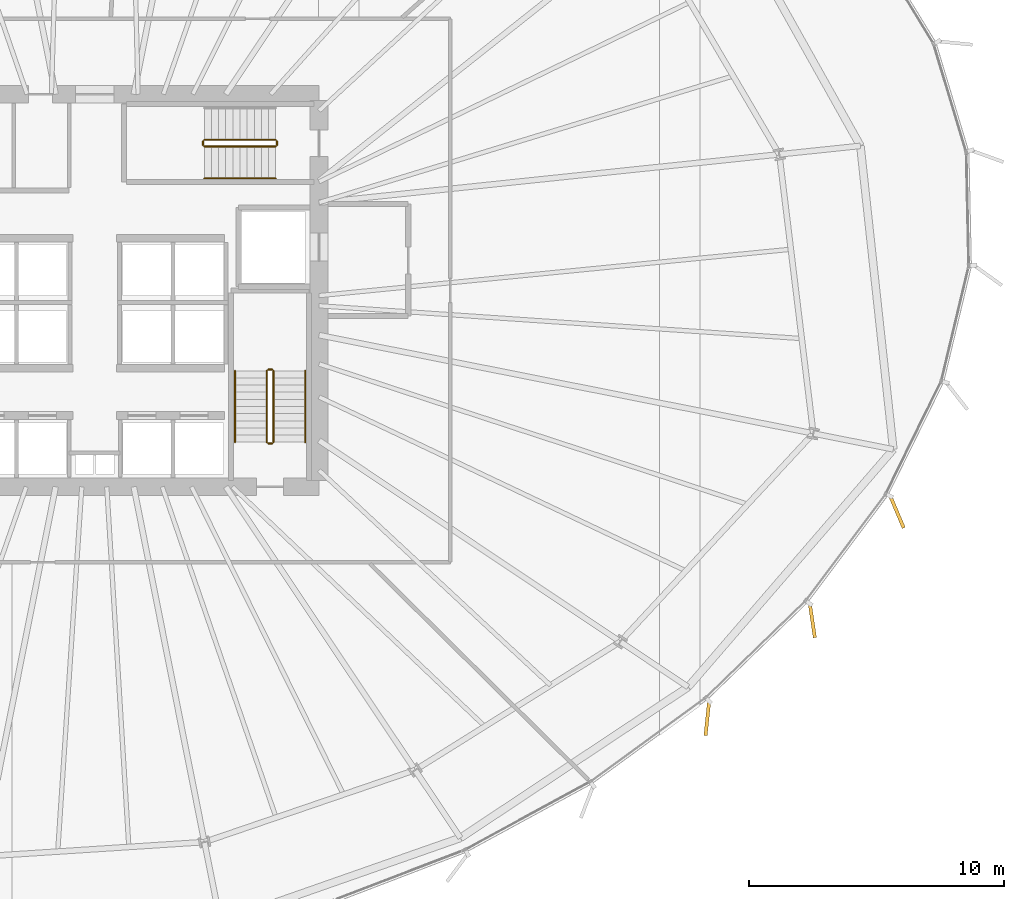
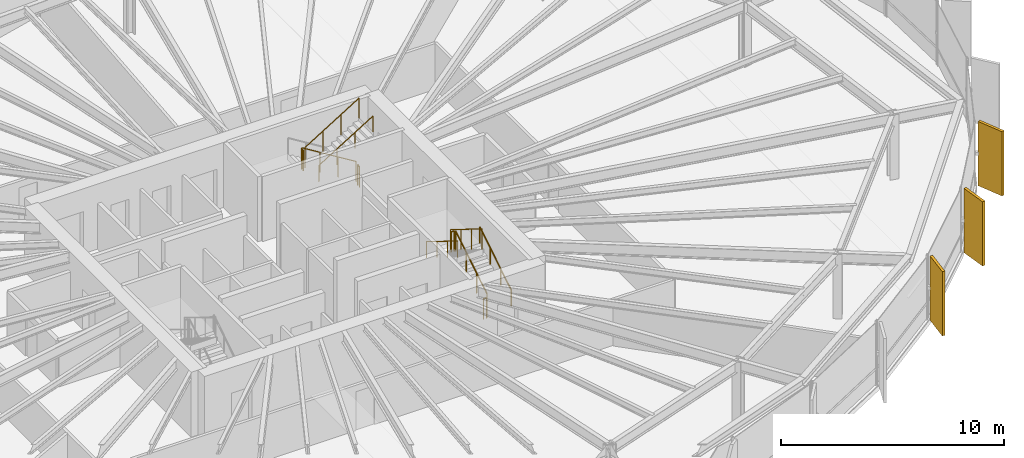
# One storey, part 37 of 38: 11 railings, 3 coverings.
"""IFC4 building model written with IfcOpenShell, lengths in metres."""

from ifc_helpers import new_model, si_unit, direction, frame, origin, origin_2d, place, context, subcontext, project, spatial, rectangle, circle, extrude, source, transform, mapped, material, layer, layer_set, type_object, element, save


model = new_model("IFC4")

# Units and contexts
model_context = context("Model", 3, precision=1e-05, world=origin(), true_north=direction((0.0, 1.0)))
body_context = subcontext(model_context, "Body", "Model", "MODEL_VIEW")
ifc_project = project(units=[si_unit("LENGTHUNIT", "METRE"), si_unit("AREAUNIT", "SQUARE_METRE"), si_unit("VOLUMEUNIT", "CUBIC_METRE"), si_unit("PLANEANGLEUNIT", "RADIAN"), si_unit("MASSUNIT", "GRAM", prefix="KILO"), si_unit("THERMODYNAMICTEMPERATUREUNIT", "KELVIN")], contexts=[model_context])

# Site, building, storey
site_placement = place(None, origin())
site = spatial("IfcSite", under=ifc_project, at=site_placement, CompositionType="ELEMENT")
building_placement = place(site_placement, origin())
building = spatial("IfcBuilding", under=site, at=building_placement, Name="Kethvar Cultural Tower", CompositionType="ELEMENT")
storey_placement = place(building_placement, frame((0.0, 0.0, 67.60009765625)))
storey = spatial("IfcBuildingStorey", under=building, at=storey_placement, Name="L16", CompositionType="ELEMENT", Elevation=67.60009765625)

# Railings
ifc_material_1 = material(Name="Steel S355J2", Category="steel")
railing_type_1 = type_object("IfcRailingType", Name="RL-STAIR-GUARD", PredefinedType="BALUSTRADE", material=ifc_material_1)
railing_1_placement = place(storey_placement, frame((53.81005859375, 21.85009765625, 0.172607421875)))
element("IfcRailing", 1, at=railing_1_placement, inside=storey, type_object=railing_type_1, Name="L16 ST-02 stair guard 1", PredefinedType="BALUSTRADE", context=body_context, shape_type="SweptSolid", body=[
    extrude(circle(Radius=0.02392578125, at=origin_2d()), frame((0.0, 0.0, 1.09619140625), z_axis=(0.0, 0.851069175582, 0.525053576669), x_axis=(-1.0, 0.0, 0.0)), (0.0, 0.0, 1.0), 3.289794921875),
    extrude(circle(Radius=0.02099609375, at=origin_2d()), origin(), (0.0, 0.0, 1.0), 1.072021484375),
    extrude(circle(Radius=0.02099609375, at=origin_2d()), frame((0.0, 0.933349609375, 0.57568359375)), (0.0, 0.0, 1.0), 1.072021484375),
    extrude(circle(Radius=0.02099609375, at=origin_2d()), frame((0.0, 1.866455078125, 1.151611328125)), (0.0, 0.0, 1.0), 1.072021484375),
    extrude(circle(Radius=0.02099609375, at=origin_2d()), frame((0.0, 2.7998046875, 1.727294921875)), (0.0, 0.0, 1.0), 1.072021484375),
])
railing_2_placement = place(storey_placement, frame((53.760009765625, 24.699951171875, 1.89990234375)))
element("IfcRailing", 2, at=railing_2_placement, inside=storey, type_object=railing_type_1, Name="L16 ST-02 stair guard 2", PredefinedType="BALUSTRADE", context=body_context, shape_type="SweptSolid", body=[
    extrude(circle(Radius=0.02392578125, at=origin_2d()), frame((0.0, 0.0, 1.09619140625), z_axis=(-1.0, 0.0, 0.0), x_axis=(0.0, -1.0, 0.0)), (0.0, 0.0, 1.0), 0.159912109375),
    extrude(circle(Radius=0.02099609375, at=origin_2d()), origin(), (0.0, 0.0, 1.0), 1.072021484375),
    extrude(circle(Radius=0.02099609375, at=origin_2d()), frame((-0.159912109375, 0.0, 0.0)), (0.0, 0.0, 1.0), 1.072021484375),
])
railing_3_placement = place(storey_placement, frame((53.550048828125, 24.64990234375, 2.072509765625)))
element("IfcRailing", 3, at=railing_3_placement, inside=storey, type_object=railing_type_1, Name="L16 ST-02 stair guard 3", PredefinedType="BALUSTRADE", context=body_context, shape_type="SweptSolid", body=[
    extrude(circle(Radius=0.02392578125, at=origin_2d()), frame((0.0, 0.0, 1.09619140625), z_axis=(0.0, -0.851069175582, 0.525053576669), x_axis=(1.0, 0.0, 0.0)), (0.0, 0.0, 1.0), 3.289794921875),
    extrude(circle(Radius=0.02099609375, at=origin_2d()), origin(), (0.0, 0.0, 1.0), 1.072021484375),
    extrude(circle(Radius=0.02099609375, at=origin_2d()), frame((0.0, -0.933349609375, 0.57568359375)), (0.0, 0.0, 1.0), 1.072021484375),
    extrude(circle(Radius=0.02099609375, at=origin_2d()), frame((0.0, -1.866455078125, 1.151611328125)), (0.0, 0.0, 1.0), 1.072021484375),
    extrude(circle(Radius=0.02099609375, at=origin_2d()), frame((0.0, -2.7998046875, 1.727294921875)), (0.0, 0.0, 1.0), 1.072021484375),
])
railing_4_placement = place(storey_placement, frame((53.760009765625, 21.800048828125, 0.0)))
element("IfcRailing", 4, at=railing_4_placement, inside=storey, type_object=railing_type_1, Name="L16 ST-02 stair guard 4", PredefinedType="BALUSTRADE", context=body_context, shape_type="SweptSolid", body=[
    extrude(circle(Radius=0.02392578125, at=origin_2d()), frame((0.0, 0.0, 1.09619140625), z_axis=(-1.0, 0.0, 0.0), x_axis=(0.0, -1.0, 0.0)), (0.0, 0.0, 1.0), 0.159912109375),
    extrude(circle(Radius=0.02099609375, at=origin_2d()), origin(), (0.0, 0.0, 1.0), 1.072021484375),
    extrude(circle(Radius=0.02099609375, at=origin_2d()), frame((-0.159912109375, 0.0, 0.0)), (0.0, 0.0, 1.0), 1.072021484375),
])
railing_5_placement = place(storey_placement, frame((53.89990234375, 33.7099609375, 0.172607421875)))
element("IfcRailing", 5, at=railing_5_placement, inside=storey, type_object=railing_type_1, Name="L16 ST-03 stair guard 1", PredefinedType="BALUSTRADE", context=body_context, shape_type="SweptSolid", body=[
    extrude(circle(Radius=0.02392578125, at=origin_2d()), frame((0.0, 0.0, 1.09619140625), z_axis=(-0.851069175582, 0.0, 0.525053576669), x_axis=(0.0, -1.0, 0.0)), (0.0, 0.0, 1.0), 3.289794921875),
    extrude(circle(Radius=0.02099609375, at=origin_2d()), origin(), (0.0, 0.0, 1.0), 1.072021484375),
    extrude(circle(Radius=0.02099609375, at=origin_2d()), frame((-0.933349609375, 0.0, 0.57568359375)), (0.0, 0.0, 1.0), 1.072021484375),
    extrude(circle(Radius=0.02099609375, at=origin_2d()), frame((-1.866455078125, 0.0, 1.151611328125)), (0.0, 0.0, 1.0), 1.072021484375),
    extrude(circle(Radius=0.02099609375, at=origin_2d()), frame((-2.7998046875, 0.0, 1.727294921875)), (0.0, 0.0, 1.0), 1.072021484375),
])
railing_6_placement = place(storey_placement, frame((51.050048828125, 33.659912109375, 1.89990234375)))
element("IfcRailing", 6, at=railing_6_placement, inside=storey, type_object=railing_type_1, Name="L16 ST-03 stair guard 2", PredefinedType="BALUSTRADE", context=body_context, shape_type="SweptSolid", body=[
    extrude(circle(Radius=0.02392578125, at=origin_2d()), frame((0.0, 0.0, 1.09619140625), z_axis=(0.0, -1.0, 0.0), x_axis=(1.0, 0.0, 0.0)), (0.0, 0.0, 1.0), 0.159912109375),
    extrude(circle(Radius=0.02099609375, at=origin_2d()), origin(), (0.0, 0.0, 1.0), 1.072021484375),
    extrude(circle(Radius=0.02099609375, at=origin_2d()), frame((0.0, -0.159912109375, 0.0)), (0.0, 0.0, 1.0), 1.072021484375),
])
railing_7_placement = place(storey_placement, frame((51.10009765625, 33.449951171875, 2.072509765625)))
element("IfcRailing", 7, at=railing_7_placement, inside=storey, type_object=railing_type_1, Name="L16 ST-03 stair guard 3", PredefinedType="BALUSTRADE", context=body_context, shape_type="SweptSolid", body=[
    extrude(circle(Radius=0.02392578125, at=origin_2d()), frame((0.0, 0.0, 1.09619140625), z_axis=(0.851069175582, 0.0, 0.525053576669), x_axis=(0.0, 1.0, 0.0)), (0.0, 0.0, 1.0), 3.289794921875),
    extrude(circle(Radius=0.02099609375, at=origin_2d()), origin(), (0.0, 0.0, 1.0), 1.072021484375),
    extrude(circle(Radius=0.02099609375, at=origin_2d()), frame((0.933349609375, 0.0, 0.57568359375)), (0.0, 0.0, 1.0), 1.072021484375),
    extrude(circle(Radius=0.02099609375, at=origin_2d()), frame((1.866455078125, 0.0, 1.151611328125)), (0.0, 0.0, 1.0), 1.072021484375),
    extrude(circle(Radius=0.02099609375, at=origin_2d()), frame((2.7998046875, 0.0, 1.727294921875)), (0.0, 0.0, 1.0), 1.072021484375),
])
railing_8_placement = place(storey_placement, frame((53.949951171875, 33.659912109375, 0.0)))
element("IfcRailing", 8, at=railing_8_placement, inside=storey, type_object=railing_type_1, Name="L16 ST-03 stair guard 4", PredefinedType="BALUSTRADE", context=body_context, shape_type="SweptSolid", body=[
    extrude(circle(Radius=0.02392578125, at=origin_2d()), frame((0.0, 0.0, 1.09619140625), z_axis=(0.0, -1.0, 0.0), x_axis=(1.0, 0.0, 0.0)), (0.0, 0.0, 1.0), 0.159912109375),
    extrude(circle(Radius=0.02099609375, at=origin_2d()), origin(), (0.0, 0.0, 1.0), 1.072021484375),
    extrude(circle(Radius=0.02099609375, at=origin_2d()), frame((0.0, -0.159912109375, 0.0)), (0.0, 0.0, 1.0), 1.072021484375),
])
railing_type_2 = type_object("IfcRailingType", Name="RL-STAIR-HANDRAIL", PredefinedType="HANDRAIL", material=ifc_material_1)
railing_9_placement = place(storey_placement, frame((55.06005859375, 21.85009765625, 0.172607421875)))
element("IfcRailing", 9, at=railing_9_placement, inside=storey, type_object=railing_type_2, Name="L16 ST-02 stair handrail 1", PredefinedType="HANDRAIL", context=body_context, shape_type="SweptSolid", body=[
    extrude(circle(Radius=0.02392578125, at=origin_2d()), frame((0.0, 0.0, 0.8759765625), z_axis=(0.0, 0.851069175582, 0.525053576669), x_axis=(-1.0, 0.0, 0.0)), (0.0, 0.0, 1.0), 3.289794921875),
    extrude(circle(Radius=0.02099609375, at=origin_2d()), origin(), (0.0, 0.0, 1.0), 0.851806640625),
    extrude(circle(Radius=0.02099609375, at=origin_2d()), frame((0.0, 0.933349609375, 0.57568359375)), (0.0, 0.0, 1.0), 0.851806640625),
    extrude(circle(Radius=0.02099609375, at=origin_2d()), frame((0.0, 1.866455078125, 1.151611328125)), (0.0, 0.0, 1.0), 0.851806640625),
    extrude(circle(Radius=0.02099609375, at=origin_2d()), frame((0.0, 2.7998046875, 1.727294921875)), (0.0, 0.0, 1.0), 0.851806640625),
])
railing_10_placement = place(storey_placement, frame((52.300048828125, 24.64990234375, 2.072509765625)))
element("IfcRailing", 10, at=railing_10_placement, inside=storey, type_object=railing_type_2, Name="L16 ST-02 stair handrail 2", PredefinedType="HANDRAIL", context=body_context, shape_type="SweptSolid", body=[
    extrude(circle(Radius=0.02392578125, at=origin_2d()), frame((0.0, 0.0, 0.8759765625), z_axis=(0.0, -0.851069175582, 0.525053576669), x_axis=(1.0, 0.0, 0.0)), (0.0, 0.0, 1.0), 3.289794921875),
    extrude(circle(Radius=0.02099609375, at=origin_2d()), origin(), (0.0, 0.0, 1.0), 0.851806640625),
    extrude(circle(Radius=0.02099609375, at=origin_2d()), frame((0.0, -0.933349609375, 0.57568359375)), (0.0, 0.0, 1.0), 0.851806640625),
    extrude(circle(Radius=0.02099609375, at=origin_2d()), frame((0.0, -1.866455078125, 1.151611328125)), (0.0, 0.0, 1.0), 0.851806640625),
    extrude(circle(Radius=0.02099609375, at=origin_2d()), frame((0.0, -2.7998046875, 1.727294921875)), (0.0, 0.0, 1.0), 0.851806640625),
])
railing_11_placement = place(storey_placement, frame((51.10009765625, 32.199951171875, 2.072509765625)))
element("IfcRailing", 11, at=railing_11_placement, inside=storey, type_object=railing_type_2, Name="L16 ST-03 stair handrail 2", PredefinedType="HANDRAIL", context=body_context, shape_type="SweptSolid", body=[
    extrude(circle(Radius=0.02392578125, at=origin_2d()), frame((0.0, 0.0, 0.8759765625), z_axis=(0.851069175582, 0.0, 0.525053576669), x_axis=(0.0, 1.0, 0.0)), (0.0, 0.0, 1.0), 3.289794921875),
    extrude(circle(Radius=0.02099609375, at=origin_2d()), origin(), (0.0, 0.0, 1.0), 0.851806640625),
    extrude(circle(Radius=0.02099609375, at=origin_2d()), frame((0.933349609375, 0.0, 0.57568359375)), (0.0, 0.0, 1.0), 0.851806640625),
    extrude(circle(Radius=0.02099609375, at=origin_2d()), frame((1.866455078125, 0.0, 1.151611328125)), (0.0, 0.0, 1.0), 0.851806640625),
    extrude(circle(Radius=0.02099609375, at=origin_2d()), frame((2.7998046875, 0.0, 1.727294921875)), (0.0, 0.0, 1.0), 0.851806640625),
])

# Coverings
ifc_material_2 = material(Name="Extruded Architectural Terracotta", Category="masonry")
ifc_layer = layer(ifc_material_2, 0.135009765625, Name="Extruded Architectural Terracotta", Category="masonry")
ifc_layer_set = layer_set([ifc_layer], Name="Extruded Architectural Terracotta (135 mm)")
covering_type = type_object("IfcCoveringType", Name="Terracotta Facade Fin FIN-01", PredefinedType="CLADDING", material=ifc_layer_set)
shared_shape = source(origin(), body_context, "Body", "SweptSolid", [
    extrude(rectangle(XDim=1.35009765625, YDim=0.135009765625, at=origin_2d()), origin(), (0.0, 0.0, 1.0), 3.510009765625),
])
for number, where, z_axis, x_axis, name in (
    (12, (70.8349609375, 11.015625, 0.02001953125), (0.0, 0.0, 1.0), (-0.104528463268, -0.994521895368, 0.0), "L16 Vertical Terracotta Fin 6.3"),
    (13, (74.953125, 14.84912109375, 0.02001953125), (0.0, 0.0, 1.0), (0.146946275799, -0.989144474801, 0.0), "L16 Vertical Terracotta Fin 6.4"),
    (14, (78.275146484375, 19.109619140625, 0.02001953125), (0.0, 0.0, 1.0), (0.389766963995, -0.920913521335, 0.0), "L16 Vertical Terracotta Fin 6.5"),
):
    element("IfcCovering", number, at=place(storey_placement, frame(where, z_axis=z_axis, x_axis=x_axis)), inside=storey, type_object=covering_type, Name=name, PredefinedType="CLADDING", context=body_context, shape_type="MappedRepresentation", body=[
        mapped(shared_shape, transform((0.0, 0.0, 0.0), scale=1.0)),
    ])

save(model, "model.ifc")
